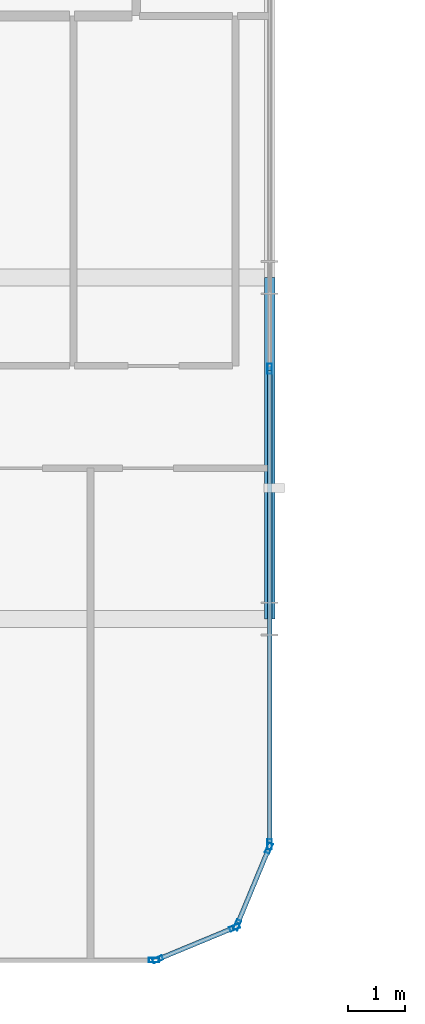
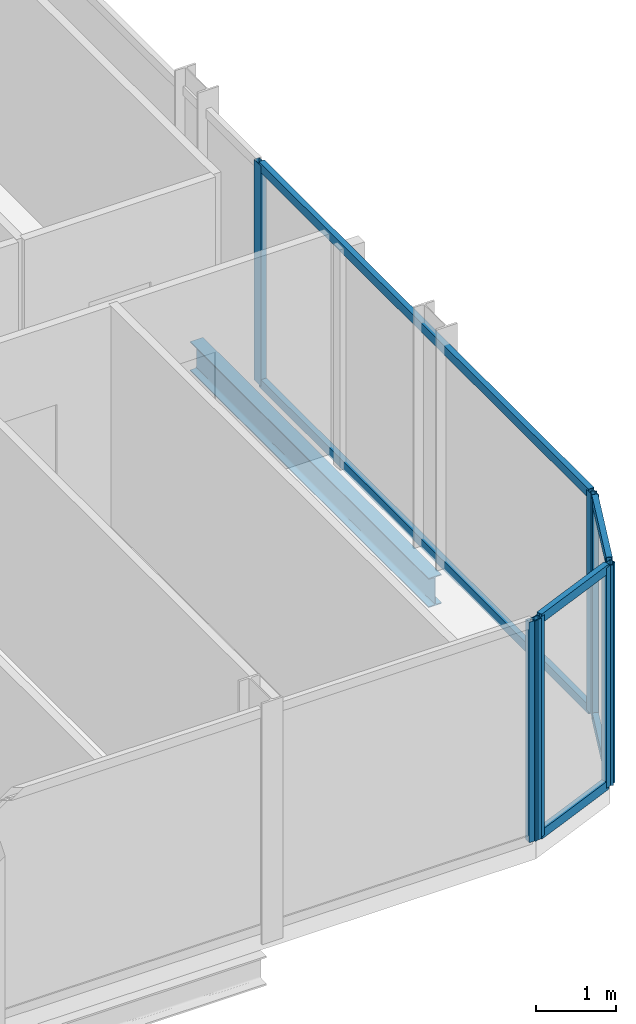
# One storey, part 10 of 30: 13 members, 1 beam, 4 elements without a shape of their own.
"""IFC4 building model written with IfcOpenShell, lengths in metres."""

import ifcopenshell
import ifcopenshell.guid

model = None  # the IFC model being written
_history = None  # IfcOwnerHistory: only IFC2X3 demands one
_inside = {}  # id of a spatial element -> (the spatial element, [elements in it])
_under = {}  # id of a project, library or spatial element -> (it, [spatial elements below it])
_declared = {}  # id of a project -> (the project, [libraries it declares])
_typed = {}  # id of a type object -> (the type object, [elements of that type])
_made_of = {}  # id of a material, layer set ... -> (it, [elements and type objects made of it])


def new_model(schema):
    """Start an empty IFC model of exactly this schema.

    Asked for "IFC4X3", IfcOpenShell would pick the latest addendum, in which some entities
    have other attributes; the version numbers below select the first issue.
    IFC2X3 requires an IfcOwnerHistory on every rooted entity: one is made here for all.
    """
    global model, _history
    if schema == "IFC4X3":
        model = ifcopenshell.file(schema_version=(4, 3, 0, 0))
    else:
        model = ifcopenshell.file(schema=schema)
    _inside.clear()
    _under.clear()
    _declared.clear()
    _typed.clear()
    _made_of.clear()
    _history = None
    if model.schema == "IFC2X3":
        org = make("IfcOrganization", Name="unknown")
        user = make(
            "IfcPersonAndOrganization",
            ThePerson=make("IfcPerson", FamilyName="unknown"),
            TheOrganization=org,
        )
        app = make(
            "IfcApplication",
            ApplicationDeveloper=org,
            Version="unknown",
            ApplicationFullName="unknown",
            ApplicationIdentifier="unknown",
        )
        _history = make(
            "IfcOwnerHistory",
            OwningUser=user,
            OwningApplication=app,
            ChangeAction="ADDED",
            CreationDate=0,
        )
    return model


def make(cls, **values):
    """One entity of the class cls with the attributes given. An attribute that is None is left unset."""
    return model.create_entity(
        cls, **{name: value for name, value in values.items() if value is not None}
    )


def rooted(cls, **values):
    """An entity with a GlobalId (a new one), such as an element, a storey or a relation."""
    return make(cls, GlobalId=ifcopenshell.guid.new(), OwnerHistory=_history, **values)


def si_unit(unit_type, name, prefix=None):
    """IfcSIUnit, for example si_unit("LENGTHUNIT", "METRE", prefix="MILLI")."""
    return make("IfcSIUnit", UnitType=unit_type, Prefix=prefix, Name=name)


def assignment(units):
    """IfcUnitAssignment: the units of a project."""
    return None if units is None else make("IfcUnitAssignment", Units=units)


def point(xyz):
    """IfcCartesianPoint."""
    return None if xyz is None else make("IfcCartesianPoint", Coordinates=xyz)


def direction(xyz):
    """IfcDirection."""
    return None if xyz is None else make("IfcDirection", DirectionRatios=xyz)


def frame(location, z_axis=None, x_axis=None):
    """IfcAxis2Placement3D, a coordinate frame: its origin and axes. An axis left out is left unset."""
    return make(
        "IfcAxis2Placement3D",
        Location=point(location),
        Axis=direction(z_axis),
        RefDirection=direction(x_axis),
    )


def frame_2d(location, x_axis=None):
    """IfcAxis2Placement2D, a coordinate frame in the plane: its origin and x axis."""
    return make(
        "IfcAxis2Placement2D", Location=point(location), RefDirection=direction(x_axis)
    )


def origin():
    """The frame at (0, 0, 0) with its axes left unset."""
    return frame((0.0, 0.0, 0.0))


def origin_2d():
    """The frame at (0, 0) in the plane with its x axis left unset."""
    return frame_2d((0.0, 0.0))


def place(relative_to, where):
    """IfcLocalPlacement: puts the frame where relative to a parent placement (None: the world)."""
    return make(
        "IfcLocalPlacement", PlacementRelTo=relative_to, RelativePlacement=where
    )


def context(
    kind, dimensions, precision=None, world=None, true_north=None, identifier=None
):
    """IfcGeometricRepresentationContext, for example the 3D "Model" context."""
    return make(
        "IfcGeometricRepresentationContext",
        ContextIdentifier=identifier,
        ContextType=kind,
        CoordinateSpaceDimension=dimensions,
        Precision=precision,
        WorldCoordinateSystem=world,
        TrueNorth=true_north,
    )


def subcontext(parent, identifier, kind, view, scale=None):
    """IfcGeometricRepresentationSubContext, for example "Body" below "Model"."""
    return make(
        "IfcGeometricRepresentationSubContext",
        ContextIdentifier=identifier,
        ContextType=kind,
        ParentContext=parent,
        TargetScale=scale,
        TargetView=view,
    )


def project(units=None, contexts=None):
    """IfcProject with its units and contexts."""
    return rooted(
        "IfcProject",
        Name="project",
        RepresentationContexts=contexts,
        UnitsInContext=assignment(units),
    )


def spatial(cls, under=None, at=None, **own):
    """A site, building, storey or space (cls), placed at a placement, below another one or the project."""
    s = rooted(cls, ObjectPlacement=at, **own)
    if under is not None:
        _under.setdefault(under.id(), (under, []))[1].append(s)
    return s


def profile(cls, at=None, kind="AREA", **sizes):
    """A parametric profile (cls). Its sizes go by their IFC names, for example OverallWidth=200.0."""
    return make(cls, ProfileType=kind, Position=at, **sizes)


def hollow_rectangle(**sizes):
    """IfcRectangleHollowProfileDef."""
    return profile("IfcRectangleHollowProfileDef", **sizes)


def i_section(**sizes):
    """IfcIShapeProfileDef."""
    return profile("IfcIShapeProfileDef", **sizes)


def extrude(swept, where, along, depth):
    """IfcExtrudedAreaSolid: the profile swept, set in the frame where, extruded along a direction by depth."""
    return make(
        "IfcExtrudedAreaSolid",
        SweptArea=swept,
        Position=where,
        ExtrudedDirection=direction(along),
        Depth=depth,
    )


def shape(context_of_items, identifier, shape_type, items):
    """IfcShapeRepresentation: the items that make up one representation, for example the "Body"."""
    return make(
        "IfcShapeRepresentation",
        ContextOfItems=context_of_items,
        RepresentationIdentifier=identifier,
        RepresentationType=shape_type,
        Items=items,
    )


def material(Name=None, Category=None):
    """IfcMaterial."""
    return make("IfcMaterial", Name=Name, Category=Category)


def layer(
    of_material, thickness, ventilated=None, Name=None, Category=None, Priority=None
):
    """IfcMaterialLayer: one layer of a wall or slab, of a material (None: an air gap)."""
    return make(
        "IfcMaterialLayer",
        Material=of_material,
        LayerThickness=thickness,
        IsVentilated=ventilated,
        Name=Name,
        Category=Category,
        Priority=Priority,
    )


def layer_set(layers, Name=None):
    """IfcMaterialLayerSet."""
    return make("IfcMaterialLayerSet", MaterialLayers=layers, LayerSetName=Name)


def material_profile(
    of_material, cross_section, Name=None, Category=None, Priority=None
):
    """IfcMaterialProfile: a cross section and its material."""
    return make(
        "IfcMaterialProfile",
        Name=Name,
        Material=of_material,
        Profile=cross_section,
        Priority=Priority,
        Category=Category,
    )


def profile_set(profiles, Name=None, composite=None):
    """IfcMaterialProfileSet."""
    return make(
        "IfcMaterialProfileSet",
        Name=Name,
        MaterialProfiles=profiles,
        CompositeProfile=composite,
    )


def made_of(thing, what):
    """Note that an element or type object is made of a material, layer set ...; save() writes the relation."""
    if what is not None:
        _made_of.setdefault(what.id(), (what, []))[1].append(thing)
    return thing


def type_object(cls, material=None, **own):
    """A type object (cls), such as IfcWallType, which elements share."""
    return made_of(rooted(cls, **own), material)


def element(
    cls,
    number,
    at=None,
    inside=None,
    cuts=None,
    type_object=None,
    material=None,
    context=None,
    identifier="Body",
    shape_type=None,
    held_by="IfcProductDefinitionShape",
    body=None,
    shapes=None,
    **own,
):
    """One element of the class cls, such as IfcWall. Its Tag is "e" and its number.

    at: its placement. inside: the storey or other place that contains it. cuts: it is an
    opening in that element (IfcRelVoidsElement). A single representation is given by context,
    identifier, shape_type and body (its items); several are given by shapes. held_by: the class
    of the entity that holds the representations. save() writes the other relations.
    """
    e = rooted(cls, Tag="e%d" % number, ObjectPlacement=at, **own)
    if body is not None:
        shapes = [shape(context, identifier, shape_type, body)]
    if shapes is not None:
        e.Representation = make(held_by, Representations=shapes)
    if inside is not None:
        _inside.setdefault(inside.id(), (inside, []))[1].append(e)
    if cuts is not None:
        rooted(
            "IfcRelVoidsElement", RelatingBuildingElement=cuts, RelatedOpeningElement=e
        )
    if type_object is not None:
        _typed.setdefault(type_object.id(), (type_object, []))[1].append(e)
    return made_of(e, material)


def aggregate(whole, parts):
    """IfcRelAggregates: a whole, such as a stair, and the parts it consists of."""
    return rooted("IfcRelAggregates", RelatingObject=whole, RelatedObjects=parts)


def save(model, path):
    """Write the relations noted so far, then the file.

    IfcRelAggregates (storeys below a building ...), IfcRelContainedInSpatialStructure (elements
    in a storey), IfcRelDefinesByType, IfcRelAssociatesMaterial and IfcRelDeclares: one each for
    every whole, place, type object, material and project.
    """
    for whole, parts in _under.values():
        aggregate(whole, parts)
    for where, things in _inside.values():
        rooted(
            "IfcRelContainedInSpatialStructure",
            RelatedElements=things,
            RelatingStructure=where,
        )
    for kind, things in _typed.values():
        rooted("IfcRelDefinesByType", RelatedObjects=things, RelatingType=kind)
    for what, things in _made_of.values():
        rooted("IfcRelAssociatesMaterial", RelatedObjects=things, RelatingMaterial=what)
    for by, libraries in _declared.values():
        rooted("IfcRelDeclares", RelatingContext=by, RelatedDefinitions=libraries)
    model.write(path)


model = new_model("IFC4")

# Units and contexts
model_context = context("Model", 3, precision=1e-05, world=origin(), true_north=direction((0.0, 1.0)))
body_context = subcontext(model_context, "Body", "Model", "MODEL_VIEW")
ifc_project = project(units=[si_unit("LENGTHUNIT", "METRE"), si_unit("AREAUNIT", "SQUARE_METRE"), si_unit("VOLUMEUNIT", "CUBIC_METRE"), si_unit("PLANEANGLEUNIT", "RADIAN"), si_unit("MASSUNIT", "GRAM", prefix="KILO")], contexts=[model_context])

# Site, building, storey
site_placement = place(None, origin())
site = spatial("IfcSite", under=ifc_project, at=site_placement, CompositionType="ELEMENT")
building_placement = place(site_placement, origin())
building = spatial("IfcBuilding", under=site, at=building_placement, Name="Keshet Zoharim Tower", CompositionType="ELEMENT")
storey_placement = place(building_placement, frame((0.0, 0.0, 109.39990234375)))
storey = spatial("IfcBuildingStorey", under=building, at=storey_placement, Name="L26", CompositionType="ELEMENT", Elevation=109.39990234375)

# Beam
ifc_material_1 = material(Name="Steel S355", Category="steel")
ifc_material_profile_1 = material_profile(ifc_material_1, i_section(OverallWidth=0.18994140625, OverallDepth=0.449951171875, WebThickness=0.009521484375, FlangeThickness=0.0146484375, FilletRadius=0.02099609375, at=origin_2d()), Name="IPE450")
ifc_profile_set_1 = profile_set([ifc_material_profile_1], Name="Steel S355")
beam_type = type_object("IfcBeamType", Name="BM-PRI-IP450", PredefinedType="BEAM", material=ifc_profile_set_1)
beam_placement = place(storey_placement, frame((57.0, 6.699951171875, -0.539794921875), z_axis=(0.0, 1.0, 0.0), x_axis=(-1.0, 0.0, 0.0)))
element("IfcBeam", 1, at=beam_placement, inside=storey, type_object=beam_type, Name="L26 Primary Girder Y-013", PredefinedType="BEAM", context=body_context, shape_type="SweptSolid", body=[
    extrude(i_section(OverallWidth=0.18994140625, OverallDepth=0.449951171875, WebThickness=0.009521484375, FlangeThickness=0.0146484375, FilletRadius=0.02099609375, at=origin_2d()), origin(), (0.0, 0.0, 1.0), 6.0),
])

# Curtain wall, members
ifc_material_2 = material(Name="Aluminium 6063-T6", Category="aluminium")
ifc_layer = layer(ifc_material_2, 0.159912109375)
ifc_layer_set = layer_set([ifc_layer], Name="Aluminium 6063-T6")
curtain_wall_type = type_object("IfcCurtainWallType", Name="CW-SYS-03", PredefinedType="NOTDEFINED", material=ifc_layer_set)
curtain_wall_1_placement = place(storey_placement, origin())
curtain_wall_1 = element("IfcCurtainWall", 2, at=curtain_wall_1_placement, inside=storey, type_object=curtain_wall_type, Name="L26 Unitised Curtain Wall 01", PredefinedType="NOTDEFINED")
ifc_material_profile_2 = material_profile(ifc_material_2, hollow_rectangle(XDim=0.080078125, YDim=0.179931640625, WallThickness=0.00439453125, at=origin_2d()), Name="MUL-80x180")
ifc_profile_set_2 = profile_set([ifc_material_profile_2], Name="Aluminium 6063-T6")
member_type_1 = type_object("IfcMemberType", Name="CWM-M18", PredefinedType="MULLION", material=ifc_profile_set_2)
member_1_placement = place(storey_placement, frame((56.986572265625, 2.667724609375, 0.0), z_axis=(0.0, 0.0, 1.0), x_axis=(0.92380975372, -0.382851849847, 0.0)))
member_1 = element("IfcMember", 3, at=member_1_placement, type_object=member_type_1, Name="CW-03 mullion 1", PredefinedType="MULLION", context=body_context, shape_type="SweptSolid", body=[
    extrude(hollow_rectangle(XDim=0.080078125, YDim=0.179931640625, WallThickness=0.00439453125, at=origin_2d()), origin(), (0.0, 0.0, 1.0), 3.385009765625),
])
member_2_placement = place(storey_placement, frame((56.427490234375, 1.318359375, 0.0), z_axis=(0.0, 0.0, 1.0), x_axis=(0.92380975372, -0.382851849847, 0.0)))
member_2 = element("IfcMember", 4, at=member_2_placement, type_object=member_type_1, Name="CW-03 mullion 2", PredefinedType="MULLION", context=body_context, shape_type="SweptSolid", body=[
    extrude(hollow_rectangle(XDim=0.080078125, YDim=0.179931640625, WallThickness=0.00439453125, at=origin_2d()), origin(), (0.0, 0.0, 1.0), 3.385009765625),
])

curtain_wall_2_placement = place(storey_placement, origin())
curtain_wall_2 = element("IfcCurtainWall", 5, at=curtain_wall_2_placement, inside=storey, type_object=curtain_wall_type, Name="L26 Unitised Curtain Wall 02", PredefinedType="NOTDEFINED")
member_3_placement = place(storey_placement, frame((56.381591796875, 1.272705078125, 0.0), z_axis=(0.0, 0.0, 1.0), x_axis=(0.382851849847, -0.92380975372, 0.0)))
member_3 = element("IfcMember", 6, at=member_3_placement, type_object=member_type_1, Name="CW-03 mullion 1", PredefinedType="MULLION", context=body_context, shape_type="SweptSolid", body=[
    extrude(hollow_rectangle(XDim=0.080078125, YDim=0.179931640625, WallThickness=0.00439453125, at=origin_2d()), origin(), (0.0, 0.0, 1.0), 3.385009765625),
])
member_4_placement = place(storey_placement, frame((55.0322265625, 0.71337890625, 0.0), z_axis=(0.0, 0.0, 1.0), x_axis=(0.382851849847, -0.92380975372, 0.0)))
member_4 = element("IfcMember", 7, at=member_4_placement, type_object=member_type_1, Name="CW-03 mullion 2", PredefinedType="MULLION", context=body_context, shape_type="SweptSolid", body=[
    extrude(hollow_rectangle(XDim=0.080078125, YDim=0.179931640625, WallThickness=0.00439453125, at=origin_2d()), origin(), (0.0, 0.0, 1.0), 3.385009765625),
])

# Curtain wall, member
curtain_wall_3_placement = place(storey_placement, origin())
curtain_wall_3 = element("IfcCurtainWall", 8, at=curtain_wall_3_placement, inside=storey, type_object=curtain_wall_type, Name="L26 Unitised Curtain Wall 03", PredefinedType="NOTDEFINED")
member_5_placement = place(storey_placement, frame((54.965087890625, 0.699951171875, 0.0), z_axis=(0.0, 0.0, 1.0), x_axis=(0.0, -1.0, 0.0)))
member_5 = element("IfcMember", 9, at=member_5_placement, type_object=member_type_1, Name="CW-03 mullion 1", PredefinedType="MULLION", context=body_context, shape_type="SweptSolid", body=[
    extrude(hollow_rectangle(XDim=0.080078125, YDim=0.179931640625, WallThickness=0.00439453125, at=origin_2d()), origin(), (0.0, 0.0, 1.0), 3.385009765625),
])
aggregate(curtain_wall_3, [member_5])

# Curtain wall, members
curtain_wall_4_placement = place(storey_placement, origin())
curtain_wall_4 = element("IfcCurtainWall", 10, at=curtain_wall_4_placement, inside=storey, type_object=curtain_wall_type, Name="L26 Unitised Curtain Wall 19", PredefinedType="NOTDEFINED")
member_6_placement = place(storey_placement, frame((57.0, 11.10009765625, 0.0), z_axis=(0.0, 0.0, 1.0), x_axis=(1.0, 0.0, 0.0)))
member_6 = element("IfcMember", 11, at=member_6_placement, type_object=member_type_1, Name="CW-03 mullion 3", PredefinedType="MULLION", context=body_context, shape_type="SweptSolid", body=[
    extrude(hollow_rectangle(XDim=0.080078125, YDim=0.179931640625, WallThickness=0.00439453125, at=origin_2d()), origin(), (0.0, 0.0, 1.0), 3.385009765625),
])
member_7_placement = place(storey_placement, frame((57.0, 2.735107421875, 0.0), z_axis=(0.0, 0.0, 1.0), x_axis=(1.0, 0.0, 0.0)))
member_7 = element("IfcMember", 12, at=member_7_placement, type_object=member_type_1, Name="CW-03 mullion 4", PredefinedType="MULLION", context=body_context, shape_type="SweptSolid", body=[
    extrude(hollow_rectangle(XDim=0.080078125, YDim=0.179931640625, WallThickness=0.00439453125, at=origin_2d()), origin(), (0.0, 0.0, 1.0), 3.385009765625),
])

# Member
ifc_material_profile_3 = material_profile(ifc_material_2, hollow_rectangle(XDim=0.080078125, YDim=0.139892578125, WallThickness=0.00390625, at=origin_2d()), Name="TRN-80x140")
ifc_profile_set_3 = profile_set([ifc_material_profile_3], Name="Aluminium 6063-T6")
member_type_2 = type_object("IfcMemberType", Name="CWT-T14", PredefinedType="USERDEFINED", material=ifc_profile_set_3)
member_8_placement = place(storey_placement, frame((56.97314453125, 2.63525390625, 0.03515625), z_axis=(-0.382744609247, -0.923854189844, 0.0), x_axis=(0.923854189844, -0.382744609247, 0.0)))
member_8 = element("IfcMember", 13, at=member_8_placement, type_object=member_type_2, Name="CW-03 transom 1.1", ObjectType="TRANSOM", PredefinedType="USERDEFINED", context=body_context, shape_type="SweptSolid", body=[
    extrude(hollow_rectangle(XDim=0.080078125, YDim=0.139892578125, WallThickness=0.00390625, at=origin_2d()), origin(), (0.0, 0.0, 1.0), 1.390625),
])

member_9_placement = place(storey_placement, frame((56.97314453125, 2.63525390625, 3.35009765625), z_axis=(-0.382744609247, -0.923854189844, 0.0), x_axis=(0.923854189844, -0.382744609247, 0.0)))
member_9 = element("IfcMember", 14, at=member_9_placement, type_object=member_type_2, Name="CW-03 transom 1.2", ObjectType="TRANSOM", PredefinedType="USERDEFINED", context=body_context, shape_type="SweptSolid", body=[
    extrude(hollow_rectangle(XDim=0.080078125, YDim=0.139892578125, WallThickness=0.00390625, at=origin_2d()), origin(), (0.0, 0.0, 1.0), 1.390625),
])

aggregate(curtain_wall_1, [member_1, member_2, member_8, member_9])

member_10_placement = place(storey_placement, frame((56.349365234375, 1.25927734375, 0.03515625), z_axis=(-0.92379209995, -0.382894445076, 0.0), x_axis=(0.382894445076, -0.92379209995, 0.0)))
member_10 = element("IfcMember", 15, at=member_10_placement, type_object=member_type_2, Name="CW-03 transom 1.1", ObjectType="TRANSOM", PredefinedType="USERDEFINED", context=body_context, shape_type="SweptSolid", body=[
    extrude(hollow_rectangle(XDim=0.080078125, YDim=0.139892578125, WallThickness=0.00390625, at=origin_2d()), origin(), (0.0, 0.0, 1.0), 1.390625),
])

member_11_placement = place(storey_placement, frame((56.349365234375, 1.25927734375, 3.35009765625), z_axis=(-0.92379209995, -0.382894445076, 0.0), x_axis=(0.382894445076, -0.92379209995, 0.0)))
member_11 = element("IfcMember", 16, at=member_11_placement, type_object=member_type_2, Name="CW-03 transom 1.2", ObjectType="TRANSOM", PredefinedType="USERDEFINED", context=body_context, shape_type="SweptSolid", body=[
    extrude(hollow_rectangle(XDim=0.080078125, YDim=0.139892578125, WallThickness=0.00390625, at=origin_2d()), origin(), (0.0, 0.0, 1.0), 1.390625),
])

aggregate(curtain_wall_2, [member_3, member_4, member_10, member_11])

member_12_placement = place(storey_placement, frame((57.0, 11.06494140625, 0.03515625), z_axis=(0.0, -1.0, 0.0), x_axis=(1.0, 0.0, 0.0)))
member_12 = element("IfcMember", 17, at=member_12_placement, type_object=member_type_2, Name="CW-03 transom 3.1", ObjectType="TRANSOM", PredefinedType="USERDEFINED", context=body_context, shape_type="SweptSolid", body=[
    extrude(hollow_rectangle(XDim=0.080078125, YDim=0.139892578125, WallThickness=0.00390625, at=origin_2d()), origin(), (0.0, 0.0, 1.0), 8.294921875),
])

member_13_placement = place(storey_placement, frame((57.0, 11.06494140625, 3.35009765625), z_axis=(0.0, -1.0, 0.0), x_axis=(1.0, 0.0, 0.0)))
member_13 = element("IfcMember", 18, at=member_13_placement, type_object=member_type_2, Name="CW-03 transom 3.2", ObjectType="TRANSOM", PredefinedType="USERDEFINED", context=body_context, shape_type="SweptSolid", body=[
    extrude(hollow_rectangle(XDim=0.080078125, YDim=0.139892578125, WallThickness=0.00390625, at=origin_2d()), origin(), (0.0, 0.0, 1.0), 8.294921875),
])

aggregate(curtain_wall_4, [member_6, member_7, member_12, member_13])

save(model, "model.ifc")
